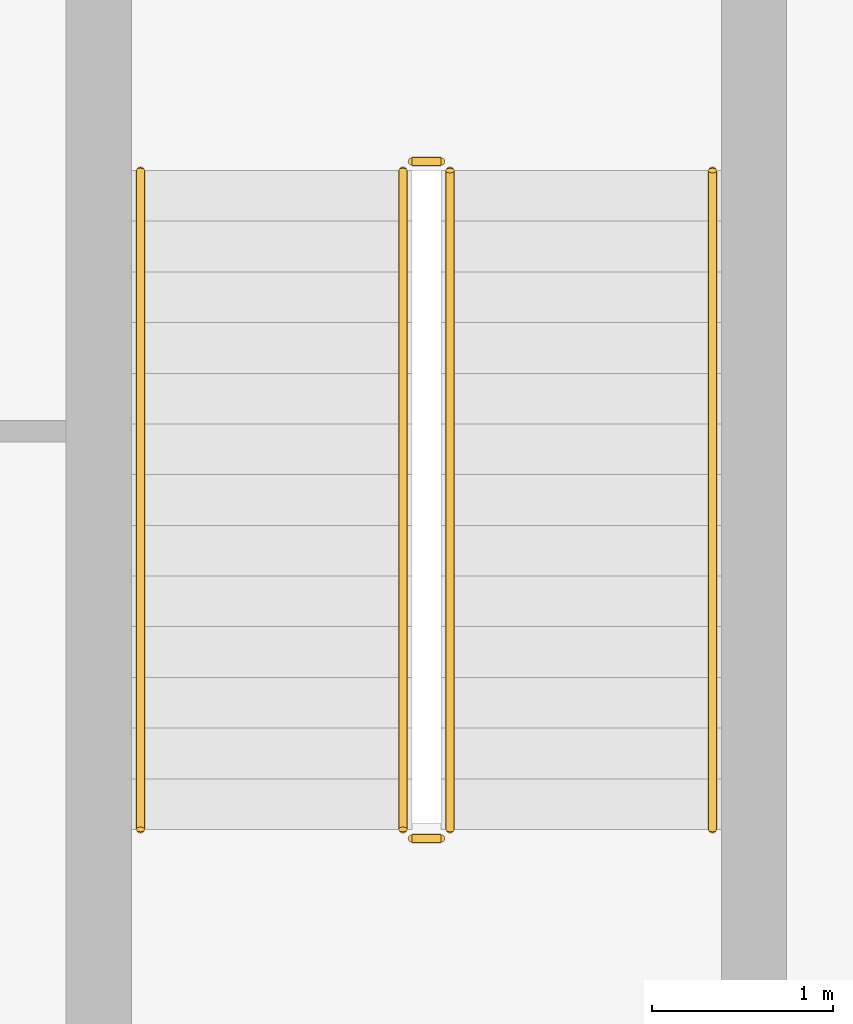
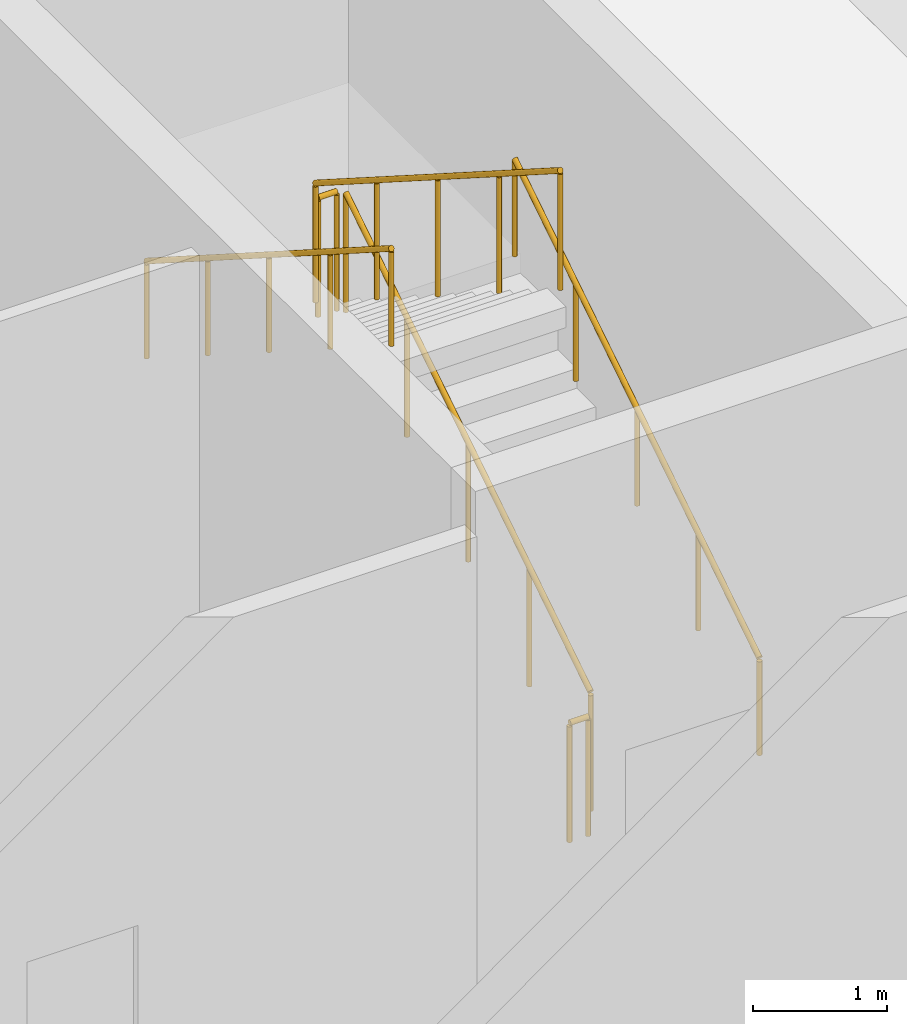
# One storey, part 13 of 14: 6 railings.
"""IFC4 building model written with IfcOpenShell, lengths in metres."""

from ifc_helpers import new_model, si_unit, direction, frame, origin, origin_2d, place, context, subcontext, project, spatial, circle, extrude, source, transform, mapped, material, type_object, element, save


model = new_model("IFC4")

# Units and contexts
model_context = context("Model", 3, precision=1e-05, world=origin(), true_north=direction((0.0, 1.0)))
body_context = subcontext(model_context, "Body", "Model", "MODEL_VIEW")
ifc_project = project(units=[si_unit("LENGTHUNIT", "METRE"), si_unit("AREAUNIT", "SQUARE_METRE"), si_unit("VOLUMEUNIT", "CUBIC_METRE"), si_unit("PLANEANGLEUNIT", "RADIAN"), si_unit("MASSUNIT", "GRAM", prefix="KILO"), si_unit("THERMODYNAMICTEMPERATUREUNIT", "KELVIN")], contexts=[model_context])

# Site, building, storey
site_placement = place(None, origin())
site = spatial("IfcSite", under=ifc_project, at=site_placement, CompositionType="ELEMENT")
building_placement = place(site_placement, origin())
building = spatial("IfcBuilding", under=site, at=building_placement, Name="Kosmvard Interchange Tower", CompositionType="ELEMENT")
storey_placement = place(building_placement, frame((0.0, 0.0, 16.0)))
storey = spatial("IfcBuildingStorey", under=building, at=storey_placement, Name="L03", CompositionType="ELEMENT", Elevation=16.0)

# Railings
ifc_material = material(Name="Steel S355", Category="steel")
railing_type_1 = type_object("IfcRailingType", Name="Stair & Terrace Safety Guardrail 1100 Steel", PredefinedType="GUARDRAIL", material=ifc_material)
shared_shape_1 = source(origin(), body_context, "Body", "SweptSolid", [
    extrude(circle(Radius=0.02392578125, at=origin_2d()), frame((0.0, 0.0, 1.076171875), z_axis=(0.0, 0.843111507901, 0.53773877045), x_axis=(-1.0, 0.0, 0.0)), (0.0, 0.0, 1.0), 4.317138671875),
    extrude(circle(Radius=0.02099609375, at=origin_2d()), origin(), (0.0, 0.0, 1.0), 1.052001953125),
    extrude(circle(Radius=0.02099609375, at=origin_2d()), frame((0.0, 0.909912109375, 0.580322265625)), (0.0, 0.0, 1.0), 1.052001953125),
    extrude(circle(Radius=0.02099609375, at=origin_2d()), frame((0.0, 1.81982421875, 1.16064453125)), (0.0, 0.0, 1.0), 1.052001953125),
    extrude(circle(Radius=0.02099609375, at=origin_2d()), frame((0.0, 2.72998046875, 1.7412109375)), (0.0, 0.0, 1.0), 1.052001953125),
    extrude(circle(Radius=0.02099609375, at=origin_2d()), frame((0.0, 3.639892578125, 2.321533203125)), (0.0, 0.0, 1.0), 1.052001953125),
])
railing_1_placement = place(storey_placement, frame((21.080078125, -3.0, 0.178466796875)))
element("IfcRailing", 1, at=railing_1_placement, inside=storey, type_object=railing_type_1, Name="L03 ST-4 stair guard 1", PredefinedType="GUARDRAIL", context=body_context, shape_type="MappedRepresentation", body=[
    mapped(shared_shape_1, transform((0.0, 0.0, 0.0), scale=1.0)),
])
shared_shape_2 = source(origin(), body_context, "Body", "SweptSolid", [
    extrude(circle(Radius=0.02392578125, at=origin_2d()), frame((0.0, 0.0, 1.076171875), z_axis=(0.0, -0.843111507901, 0.53773877045), x_axis=(1.0, 0.0, 0.0)), (0.0, 0.0, 1.0), 4.317138671875),
    extrude(circle(Radius=0.02099609375, at=origin_2d()), origin(), (0.0, 0.0, 1.0), 1.052001953125),
    extrude(circle(Radius=0.02099609375, at=origin_2d()), frame((0.0, -0.909912109375, 0.580322265625)), (0.0, 0.0, 1.0), 1.052001953125),
    extrude(circle(Radius=0.02099609375, at=origin_2d()), frame((0.0, -1.81982421875, 1.16064453125)), (0.0, 0.0, 1.0), 1.052001953125),
    extrude(circle(Radius=0.02099609375, at=origin_2d()), frame((0.0, -2.72998046875, 1.7412109375)), (0.0, 0.0, 1.0), 1.052001953125),
    extrude(circle(Radius=0.02099609375, at=origin_2d()), frame((0.0, -3.639892578125, 2.321533203125)), (0.0, 0.0, 1.0), 1.052001953125),
])
railing_2_placement = place(storey_placement, frame((20.820068359375, 0.639892578125, 2.678466796875)))
element("IfcRailing", 2, at=railing_2_placement, inside=storey, type_object=railing_type_1, Name="L03 ST-4 stair guard 3", PredefinedType="GUARDRAIL", context=body_context, shape_type="MappedRepresentation", body=[
    mapped(shared_shape_2, transform((0.0, 0.0, 0.0), scale=1.0)),
])
railing_type_2 = type_object("IfcRailingType", Name="Wall-Mounted Stair Handrail 900 Steel", PredefinedType="HANDRAIL", material=ifc_material)
shared_shape_3 = source(origin(), body_context, "Body", "SweptSolid", [
    extrude(circle(Radius=0.02392578125, at=origin_2d()), frame((0.0, 0.0, 0.8759765625), z_axis=(0.0, 0.843111507901, 0.53773877045), x_axis=(-1.0, 0.0, 0.0)), (0.0, 0.0, 1.0), 4.317138671875),
    extrude(circle(Radius=0.02099609375, at=origin_2d()), origin(), (0.0, 0.0, 1.0), 0.851806640625),
    extrude(circle(Radius=0.02099609375, at=origin_2d()), frame((0.0, 0.909912109375, 0.580322265625)), (0.0, 0.0, 1.0), 0.851806640625),
    extrude(circle(Radius=0.02099609375, at=origin_2d()), frame((0.0, 1.81982421875, 1.16064453125)), (0.0, 0.0, 1.0), 0.851806640625),
    extrude(circle(Radius=0.02099609375, at=origin_2d()), frame((0.0, 2.72998046875, 1.7412109375)), (0.0, 0.0, 1.0), 0.851806640625),
    extrude(circle(Radius=0.02099609375, at=origin_2d()), frame((0.0, 3.639892578125, 2.321533203125)), (0.0, 0.0, 1.0), 0.851806640625),
])
railing_3_placement = place(storey_placement, frame((22.530029296875, -3.0, 0.178466796875)))
element("IfcRailing", 3, at=railing_3_placement, inside=storey, type_object=railing_type_2, Name="L03 ST-4 stair handrail 1", PredefinedType="HANDRAIL", context=body_context, shape_type="MappedRepresentation", body=[
    mapped(shared_shape_3, transform((0.0, 0.0, 0.0), scale=1.0)),
])
shared_shape_4 = source(origin(), body_context, "Body", "SweptSolid", [
    extrude(circle(Radius=0.02392578125, at=origin_2d()), frame((0.0, 0.0, 0.8759765625), z_axis=(0.0, -0.843111507901, 0.53773877045), x_axis=(1.0, 0.0, 0.0)), (0.0, 0.0, 1.0), 4.317138671875),
    extrude(circle(Radius=0.02099609375, at=origin_2d()), origin(), (0.0, 0.0, 1.0), 0.851806640625),
    extrude(circle(Radius=0.02099609375, at=origin_2d()), frame((0.0, -0.909912109375, 0.580322265625)), (0.0, 0.0, 1.0), 0.851806640625),
    extrude(circle(Radius=0.02099609375, at=origin_2d()), frame((0.0, -1.81982421875, 1.16064453125)), (0.0, 0.0, 1.0), 0.851806640625),
    extrude(circle(Radius=0.02099609375, at=origin_2d()), frame((0.0, -2.72998046875, 1.7412109375)), (0.0, 0.0, 1.0), 0.851806640625),
    extrude(circle(Radius=0.02099609375, at=origin_2d()), frame((0.0, -3.639892578125, 2.321533203125)), (0.0, 0.0, 1.0), 0.851806640625),
])
railing_4_placement = place(storey_placement, frame((19.3701171875, 0.639892578125, 2.678466796875)))
element("IfcRailing", 4, at=railing_4_placement, inside=storey, type_object=railing_type_2, Name="L03 ST-4 stair handrail 2", PredefinedType="HANDRAIL", context=body_context, shape_type="MappedRepresentation", body=[
    mapped(shared_shape_4, transform((0.0, 0.0, 0.0), scale=1.0)),
])
shared_shape_5 = source(origin(), body_context, "Body", "SweptSolid", [
    extrude(circle(Radius=0.02392578125, at=origin_2d()), frame((0.0, 0.0, 1.076171875), z_axis=(-1.0, 0.0, 0.0), x_axis=(0.0, -1.0, 0.0)), (0.0, 0.0, 1.0), 0.159912109375),
    extrude(circle(Radius=0.02099609375, at=origin_2d()), origin(), (0.0, 0.0, 1.0), 1.052001953125),
    extrude(circle(Radius=0.02099609375, at=origin_2d()), frame((-0.159912109375, 0.0, 0.0)), (0.0, 0.0, 1.0), 1.052001953125),
])
for number, where, name in (
    (5, (21.030029296875, 0.68994140625, 2.5), "L03 ST-4 stair guard 2"),
    (6, (21.030029296875, -3.050048828125, 0.0), "L03 ST-4 stair guard 4"),
):
    element("IfcRailing", number, at=place(storey_placement, frame(where)), inside=storey, type_object=railing_type_1, Name=name, PredefinedType="GUARDRAIL", context=body_context, shape_type="MappedRepresentation", body=[
        mapped(shared_shape_5, transform((0.0, 0.0, 0.0), scale=1.0)),
    ])

save(model, "model.ifc")
